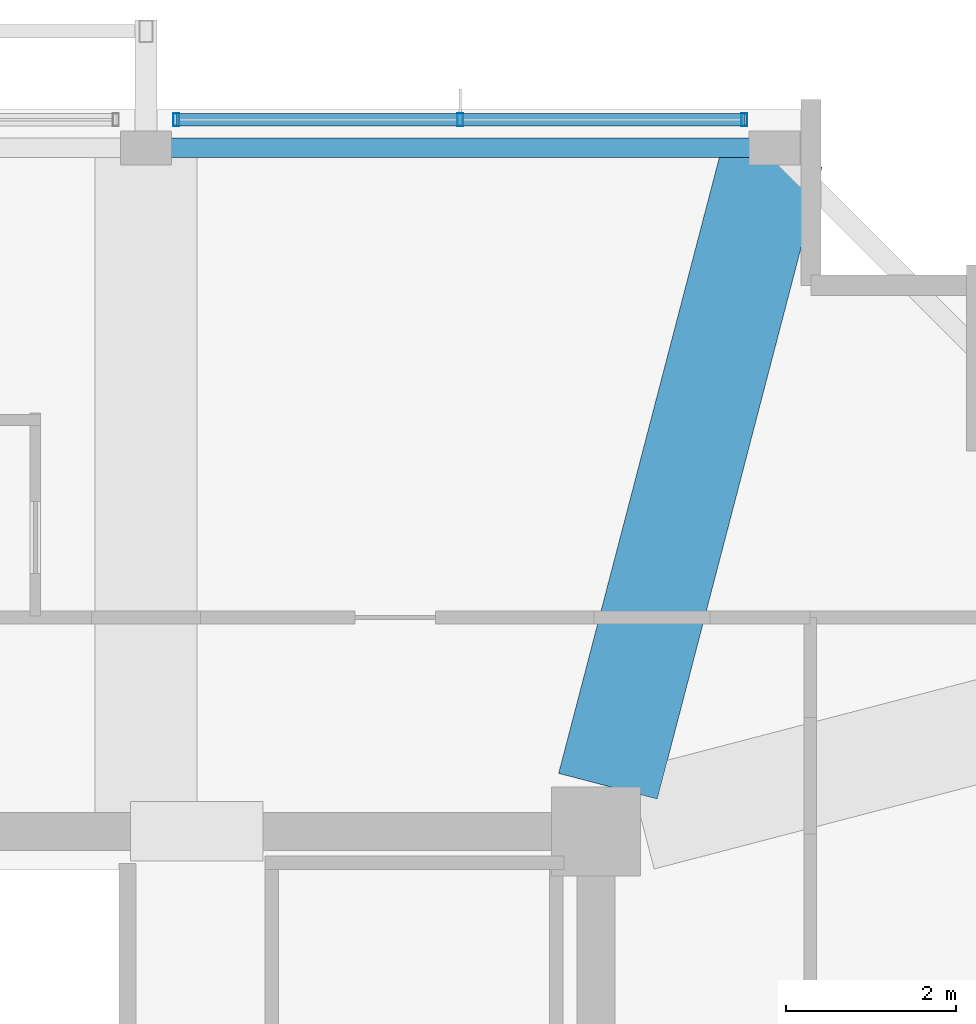
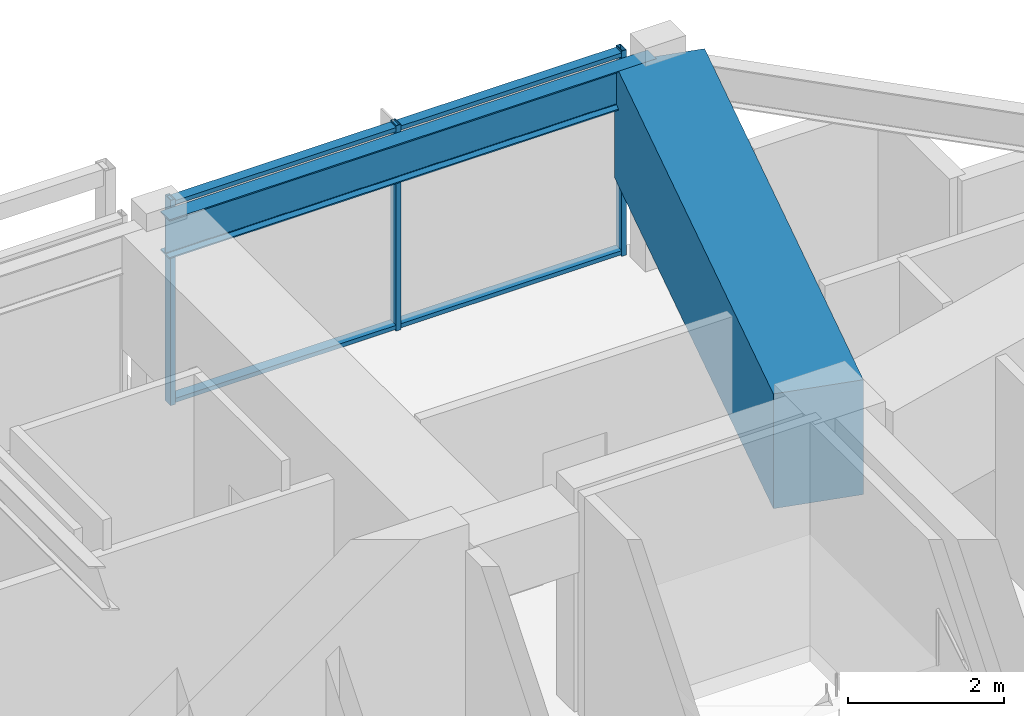
# One storey, part 17 of 30: 5 members, 2 beams, 1 element without a shape of its own.
"""IFC4 building model written with IfcOpenShell, lengths in metres."""

import ifcopenshell
import ifcopenshell.guid

model = None  # the IFC model being written
_history = None  # IfcOwnerHistory: only IFC2X3 demands one
_inside = {}  # id of a spatial element -> (the spatial element, [elements in it])
_under = {}  # id of a project, library or spatial element -> (it, [spatial elements below it])
_declared = {}  # id of a project -> (the project, [libraries it declares])
_typed = {}  # id of a type object -> (the type object, [elements of that type])
_made_of = {}  # id of a material, layer set ... -> (it, [elements and type objects made of it])


def new_model(schema):
    """Start an empty IFC model of exactly this schema.

    Asked for "IFC4X3", IfcOpenShell would pick the latest addendum, in which some entities
    have other attributes; the version numbers below select the first issue.
    IFC2X3 requires an IfcOwnerHistory on every rooted entity: one is made here for all.
    """
    global model, _history
    if schema == "IFC4X3":
        model = ifcopenshell.file(schema_version=(4, 3, 0, 0))
    else:
        model = ifcopenshell.file(schema=schema)
    _inside.clear()
    _under.clear()
    _declared.clear()
    _typed.clear()
    _made_of.clear()
    _history = None
    if model.schema == "IFC2X3":
        org = make("IfcOrganization", Name="unknown")
        user = make(
            "IfcPersonAndOrganization",
            ThePerson=make("IfcPerson", FamilyName="unknown"),
            TheOrganization=org,
        )
        app = make(
            "IfcApplication",
            ApplicationDeveloper=org,
            Version="unknown",
            ApplicationFullName="unknown",
            ApplicationIdentifier="unknown",
        )
        _history = make(
            "IfcOwnerHistory",
            OwningUser=user,
            OwningApplication=app,
            ChangeAction="ADDED",
            CreationDate=0,
        )
    return model


def make(cls, **values):
    """One entity of the class cls with the attributes given. An attribute that is None is left unset."""
    return model.create_entity(
        cls, **{name: value for name, value in values.items() if value is not None}
    )


def rooted(cls, **values):
    """An entity with a GlobalId (a new one), such as an element, a storey or a relation."""
    return make(cls, GlobalId=ifcopenshell.guid.new(), OwnerHistory=_history, **values)


def si_unit(unit_type, name, prefix=None):
    """IfcSIUnit, for example si_unit("LENGTHUNIT", "METRE", prefix="MILLI")."""
    return make("IfcSIUnit", UnitType=unit_type, Prefix=prefix, Name=name)


def assignment(units):
    """IfcUnitAssignment: the units of a project."""
    return None if units is None else make("IfcUnitAssignment", Units=units)


def point(xyz):
    """IfcCartesianPoint."""
    return None if xyz is None else make("IfcCartesianPoint", Coordinates=xyz)


def direction(xyz):
    """IfcDirection."""
    return None if xyz is None else make("IfcDirection", DirectionRatios=xyz)


def frame(location, z_axis=None, x_axis=None):
    """IfcAxis2Placement3D, a coordinate frame: its origin and axes. An axis left out is left unset."""
    return make(
        "IfcAxis2Placement3D",
        Location=point(location),
        Axis=direction(z_axis),
        RefDirection=direction(x_axis),
    )


def frame_2d(location, x_axis=None):
    """IfcAxis2Placement2D, a coordinate frame in the plane: its origin and x axis."""
    return make(
        "IfcAxis2Placement2D", Location=point(location), RefDirection=direction(x_axis)
    )


def origin():
    """The frame at (0, 0, 0) with its axes left unset."""
    return frame((0.0, 0.0, 0.0))


def origin_2d():
    """The frame at (0, 0) in the plane with its x axis left unset."""
    return frame_2d((0.0, 0.0))


def place(relative_to, where):
    """IfcLocalPlacement: puts the frame where relative to a parent placement (None: the world)."""
    return make(
        "IfcLocalPlacement", PlacementRelTo=relative_to, RelativePlacement=where
    )


def context(
    kind, dimensions, precision=None, world=None, true_north=None, identifier=None
):
    """IfcGeometricRepresentationContext, for example the 3D "Model" context."""
    return make(
        "IfcGeometricRepresentationContext",
        ContextIdentifier=identifier,
        ContextType=kind,
        CoordinateSpaceDimension=dimensions,
        Precision=precision,
        WorldCoordinateSystem=world,
        TrueNorth=true_north,
    )


def subcontext(parent, identifier, kind, view, scale=None):
    """IfcGeometricRepresentationSubContext, for example "Body" below "Model"."""
    return make(
        "IfcGeometricRepresentationSubContext",
        ContextIdentifier=identifier,
        ContextType=kind,
        ParentContext=parent,
        TargetScale=scale,
        TargetView=view,
    )


def project(units=None, contexts=None):
    """IfcProject with its units and contexts."""
    return rooted(
        "IfcProject",
        Name="project",
        RepresentationContexts=contexts,
        UnitsInContext=assignment(units),
    )


def spatial(cls, under=None, at=None, **own):
    """A site, building, storey or space (cls), placed at a placement, below another one or the project."""
    s = rooted(cls, ObjectPlacement=at, **own)
    if under is not None:
        _under.setdefault(under.id(), (under, []))[1].append(s)
    return s


def profile(cls, at=None, kind="AREA", **sizes):
    """A parametric profile (cls). Its sizes go by their IFC names, for example OverallWidth=200.0."""
    return make(cls, ProfileType=kind, Position=at, **sizes)


def rectangle(**sizes):
    """IfcRectangleProfileDef."""
    return profile("IfcRectangleProfileDef", **sizes)


def hollow_rectangle(**sizes):
    """IfcRectangleHollowProfileDef."""
    return profile("IfcRectangleHollowProfileDef", **sizes)


def i_section(**sizes):
    """IfcIShapeProfileDef."""
    return profile("IfcIShapeProfileDef", **sizes)


def extrude(swept, where, along, depth):
    """IfcExtrudedAreaSolid: the profile swept, set in the frame where, extruded along a direction by depth."""
    return make(
        "IfcExtrudedAreaSolid",
        SweptArea=swept,
        Position=where,
        ExtrudedDirection=direction(along),
        Depth=depth,
    )


def shape(context_of_items, identifier, shape_type, items):
    """IfcShapeRepresentation: the items that make up one representation, for example the "Body"."""
    return make(
        "IfcShapeRepresentation",
        ContextOfItems=context_of_items,
        RepresentationIdentifier=identifier,
        RepresentationType=shape_type,
        Items=items,
    )


def material(Name=None, Category=None):
    """IfcMaterial."""
    return make("IfcMaterial", Name=Name, Category=Category)


def material_profile(
    of_material, cross_section, Name=None, Category=None, Priority=None
):
    """IfcMaterialProfile: a cross section and its material."""
    return make(
        "IfcMaterialProfile",
        Name=Name,
        Material=of_material,
        Profile=cross_section,
        Priority=Priority,
        Category=Category,
    )


def profile_set(profiles, Name=None, composite=None):
    """IfcMaterialProfileSet."""
    return make(
        "IfcMaterialProfileSet",
        Name=Name,
        MaterialProfiles=profiles,
        CompositeProfile=composite,
    )


def made_of(thing, what):
    """Note that an element or type object is made of a material, layer set ...; save() writes the relation."""
    if what is not None:
        _made_of.setdefault(what.id(), (what, []))[1].append(thing)
    return thing


def type_object(cls, material=None, **own):
    """A type object (cls), such as IfcWallType, which elements share."""
    return made_of(rooted(cls, **own), material)


def element(
    cls,
    number,
    at=None,
    inside=None,
    cuts=None,
    type_object=None,
    material=None,
    context=None,
    identifier="Body",
    shape_type=None,
    held_by="IfcProductDefinitionShape",
    body=None,
    shapes=None,
    **own,
):
    """One element of the class cls, such as IfcWall. Its Tag is "e" and its number.

    at: its placement. inside: the storey or other place that contains it. cuts: it is an
    opening in that element (IfcRelVoidsElement). A single representation is given by context,
    identifier, shape_type and body (its items); several are given by shapes. held_by: the class
    of the entity that holds the representations. save() writes the other relations.
    """
    e = rooted(cls, Tag="e%d" % number, ObjectPlacement=at, **own)
    if body is not None:
        shapes = [shape(context, identifier, shape_type, body)]
    if shapes is not None:
        e.Representation = make(held_by, Representations=shapes)
    if inside is not None:
        _inside.setdefault(inside.id(), (inside, []))[1].append(e)
    if cuts is not None:
        rooted(
            "IfcRelVoidsElement", RelatingBuildingElement=cuts, RelatedOpeningElement=e
        )
    if type_object is not None:
        _typed.setdefault(type_object.id(), (type_object, []))[1].append(e)
    return made_of(e, material)


def aggregate(whole, parts):
    """IfcRelAggregates: a whole, such as a stair, and the parts it consists of."""
    return rooted("IfcRelAggregates", RelatingObject=whole, RelatedObjects=parts)


def save(model, path):
    """Write the relations noted so far, then the file.

    IfcRelAggregates (storeys below a building ...), IfcRelContainedInSpatialStructure (elements
    in a storey), IfcRelDefinesByType, IfcRelAssociatesMaterial and IfcRelDeclares: one each for
    every whole, place, type object, material and project.
    """
    for whole, parts in _under.values():
        aggregate(whole, parts)
    for where, things in _inside.values():
        rooted(
            "IfcRelContainedInSpatialStructure",
            RelatedElements=things,
            RelatingStructure=where,
        )
    for kind, things in _typed.values():
        rooted("IfcRelDefinesByType", RelatedObjects=things, RelatingType=kind)
    for what, things in _made_of.values():
        rooted("IfcRelAssociatesMaterial", RelatedObjects=things, RelatingMaterial=what)
    for by, libraries in _declared.values():
        rooted("IfcRelDeclares", RelatingContext=by, RelatedDefinitions=libraries)
    model.write(path)


model = new_model("IFC4")

# Units and contexts
model_context = context("Model", 3, precision=1e-05, world=origin(), true_north=direction((0.0, 1.0)))
body_context = subcontext(model_context, "Body", "Model", "MODEL_VIEW")
ifc_project = project(units=[si_unit("LENGTHUNIT", "METRE"), si_unit("AREAUNIT", "SQUARE_METRE"), si_unit("VOLUMEUNIT", "CUBIC_METRE"), si_unit("PLANEANGLEUNIT", "RADIAN"), si_unit("MASSUNIT", "GRAM", prefix="KILO")], contexts=[model_context])

# Site, building, storey
site_placement = place(None, origin())
site = spatial("IfcSite", under=ifc_project, at=site_placement, CompositionType="ELEMENT")
building_placement = place(site_placement, origin())
building = spatial("IfcBuilding", under=site, at=building_placement, Name="Kolvaren Belvedere", CompositionType="ELEMENT")
storey_placement = place(building_placement, frame((0.0, 0.0, 254.89990234375)))
storey = spatial("IfcBuildingStorey", under=building, at=storey_placement, Name="L74", CompositionType="ELEMENT", Elevation=254.89990234375)

# Beams
ifc_material_1 = material(Name="Structural steel ASTM A992 Grade 50", Category="steel")
ifc_material_profile_1 = material_profile(ifc_material_1, i_section(OverallWidth=0.22900390625, OverallDepth=0.612060546875, WebThickness=0.011962890625, FlangeThickness=0.01953125, FilletRadius=0.01806640625, at=origin_2d()), Name="W24X84")
ifc_profile_set_1 = profile_set([ifc_material_profile_1], Name="Structural steel ASTM A992 Grade 50")
beam_type_1 = type_object("IfcBeamType", Name="BM-SPAN-W24X84", PredefinedType="SPANDREL", material=ifc_profile_set_1)
beam_1_placement = place(storey_placement, frame((11.909912109375, 17.949951171875, 2.9140625), z_axis=(-1.0, 0.0, 0.0), x_axis=(0.0, -1.0, 0.0)))
element("IfcBeam", 1, at=beam_1_placement, inside=storey, type_object=beam_type_1, Name="L74 Perimeter Spandrel N4-N3", PredefinedType="SPANDREL", context=body_context, shape_type="SweptSolid", body=[
    extrude(i_section(OverallWidth=0.22900390625, OverallDepth=0.612060546875, WebThickness=0.011962890625, FlangeThickness=0.01953125, FilletRadius=0.01806640625, at=origin_2d()), origin(), (0.0, 0.0, 1.0), 7.219970703125),
])
ifc_material_2 = material(Name="Concrete C50/60", Category="concrete")
ifc_material_profile_2 = material_profile(ifc_material_2, rectangle(XDim=1.199951171875, YDim=1.800048828125, at=origin_2d()), Name="RC 1200X1800")
ifc_profile_set_2 = profile_set([ifc_material_profile_2], Name="Concrete C50/60")
beam_type_2 = type_object("IfcBeamType", Name="BM-TG-1800", PredefinedType="BEAM", material=ifc_profile_set_2)
beam_2_placement = place(storey_placement, frame((10.038818359375, 10.43212890625, 2.320068359375), z_axis=(0.252414142221, 0.967619295388, 0.0), x_axis=(-0.967619295388, 0.252414142221, 0.0)))
element("IfcBeam", 2, at=beam_2_placement, inside=storey, type_object=beam_type_2, Name="L74 Corner Core-to-Perimeter Girder CC3-N4", PredefinedType="BEAM", context=body_context, shape_type="SweptSolid", body=[
    extrude(rectangle(XDim=1.199951171875, YDim=1.800048828125, at=origin_2d()), origin(), (0.0, 0.0, 1.0), 7.689453125),
])

# Curtain wall, members
ifc_material_3 = material(Name="Anodised pale-metal aluminium AA 6063-T6", Category="aluminium")
curtain_wall_type = type_object("IfcCurtainWallType", Name="CW-Z5-HIGH", PredefinedType="NOTDEFINED", material=ifc_material_3)
curtain_wall_placement = place(storey_placement, origin())
curtain_wall = element("IfcCurtainWall", 3, at=curtain_wall_placement, inside=storey, type_object=curtain_wall_type, Name="L74 Unitised Curtain Wall FCW-L74-N-B3", PredefinedType="NOTDEFINED")
ifc_material_4 = material(Name="Anodised pale-metal aluminium AA 6063-T6", Category="aluminium")
ifc_material_profile_3 = material_profile(ifc_material_4, hollow_rectangle(XDim=0.070068359375, YDim=0.14990234375, WallThickness=0.004150390625, at=origin_2d()), Name="ALU-MUL-150X70")
ifc_profile_set_3 = profile_set([ifc_material_profile_3], Name="Anodised pale-metal aluminium AA 6063-T6")
member_type_1 = type_object("IfcMemberType", Name="CW-MUL-150", PredefinedType="MULLION", material=ifc_profile_set_3)
member_1_placement = place(storey_placement, frame((4.955078125, 18.280029296875, 0.0), z_axis=(0.0, 0.0, 1.0), x_axis=(1.0, 0.0, 0.0)))
member_1 = element("IfcMember", 4, at=member_1_placement, type_object=member_type_1, Name="FCW-L74-N-B3 Unitised Mullion 1", PredefinedType="MULLION", context=body_context, shape_type="SweptSolid", body=[
    extrude(hollow_rectangle(XDim=0.070068359375, YDim=0.14990234375, WallThickness=0.004150390625, at=origin_2d()), origin(), (0.0, 0.0, 1.0), 3.22021484375),
])
member_2_placement = place(storey_placement, frame((8.300048828125, 18.280029296875, 0.0), z_axis=(0.0, 0.0, 1.0), x_axis=(1.0, 0.0, 0.0)))
member_2 = element("IfcMember", 5, at=member_2_placement, type_object=member_type_1, Name="FCW-L74-N-B3 Unitised Mullion 2", PredefinedType="MULLION", context=body_context, shape_type="SweptSolid", body=[
    extrude(hollow_rectangle(XDim=0.070068359375, YDim=0.14990234375, WallThickness=0.004150390625, at=origin_2d()), origin(), (0.0, 0.0, 1.0), 3.22021484375),
])
member_3_placement = place(storey_placement, frame((11.64501953125, 18.280029296875, 0.0), z_axis=(0.0, 0.0, 1.0), x_axis=(1.0, 0.0, 0.0)))
member_3 = element("IfcMember", 6, at=member_3_placement, type_object=member_type_1, Name="FCW-L74-N-B3 Unitised Mullion 3", PredefinedType="MULLION", context=body_context, shape_type="SweptSolid", body=[
    extrude(hollow_rectangle(XDim=0.070068359375, YDim=0.14990234375, WallThickness=0.004150390625, at=origin_2d()), origin(), (0.0, 0.0, 1.0), 3.22021484375),
])
ifc_material_5 = material(Name="Anodised pale-metal aluminium AA 6063-T6", Category="aluminium")
ifc_material_profile_4 = material_profile(ifc_material_5, hollow_rectangle(XDim=0.06494140625, YDim=0.14990234375, WallThickness=0.00390625, at=origin_2d()), Name="ALU-TRN-150X65")
ifc_profile_set_4 = profile_set([ifc_material_profile_4], Name="Anodised pale-metal aluminium AA 6063-T6")
member_type_2 = type_object("IfcMemberType", Name="CW-TRN-150", PredefinedType="USERDEFINED", material=ifc_profile_set_4)
member_4_placement = place(storey_placement, frame((4.955078125, 18.280029296875, 0.06005859375), z_axis=(1.0, 0.0, 0.0), x_axis=(0.0, 0.0, 1.0)))
member_4 = element("IfcMember", 7, at=member_4_placement, type_object=member_type_2, Name="FCW-L74-N-B3 Sill Transom", ObjectType="TRANSOM", PredefinedType="USERDEFINED", context=body_context, shape_type="SweptSolid", body=[
    extrude(hollow_rectangle(XDim=0.06494140625, YDim=0.14990234375, WallThickness=0.00390625, at=origin_2d()), origin(), (0.0, 0.0, 1.0), 6.68994140625),
])
member_5_placement = place(storey_placement, frame((4.955078125, 18.280029296875, 3.16015625), z_axis=(1.0, 0.0, 0.0), x_axis=(0.0, 0.0, 1.0)))
member_5 = element("IfcMember", 8, at=member_5_placement, type_object=member_type_2, Name="FCW-L74-N-B3 Head Transom", ObjectType="TRANSOM", PredefinedType="USERDEFINED", context=body_context, shape_type="SweptSolid", body=[
    extrude(hollow_rectangle(XDim=0.06494140625, YDim=0.14990234375, WallThickness=0.00390625, at=origin_2d()), origin(), (0.0, 0.0, 1.0), 6.68994140625),
])
aggregate(curtain_wall, [member_1, member_2, member_3, member_4, member_5])

save(model, "model.ifc")
